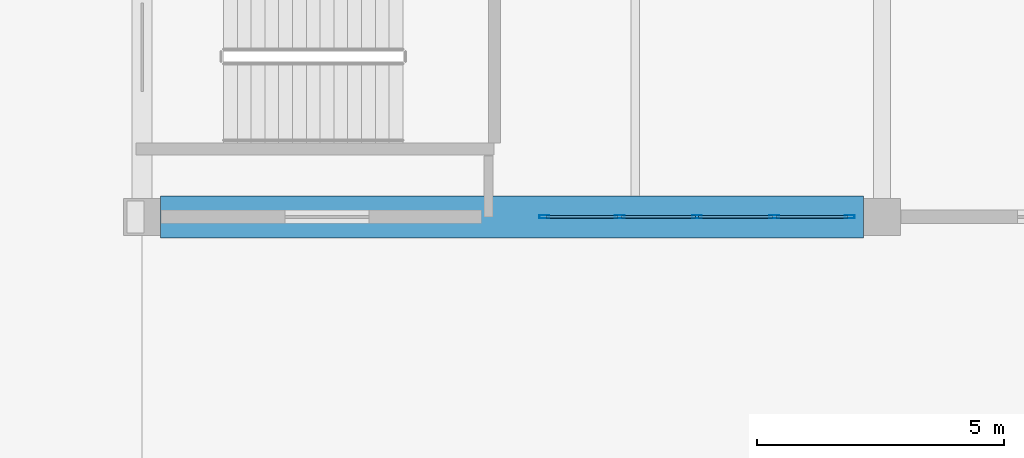
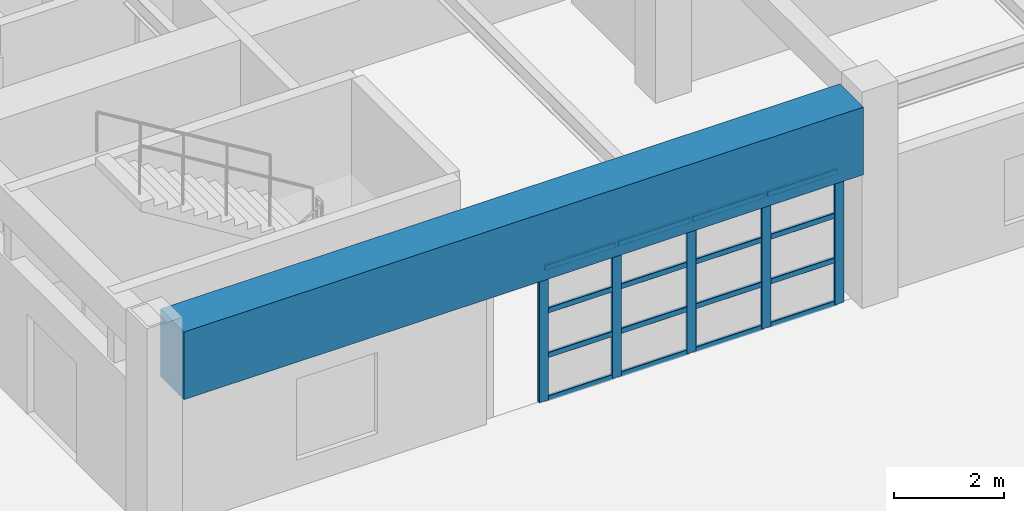
# One storey, part 31 of 122: 21 members, 1 beam, 1 element without a shape of its own.
"""IFC4 building model written with IfcOpenShell, lengths in metres."""

from ifc_helpers import new_model, si_unit, direction, frame, origin, origin_2d, place, context, subcontext, project, spatial, rectangle, hollow_rectangle, extrude, material, material_profile, profile_set, type_object, element, aggregate, save


model = new_model("IFC4")

# Units and contexts
model_context = context("Model", 3, precision=1e-05, world=origin(), true_north=direction((0.0, 1.0)))
body_context = subcontext(model_context, "Body", "Model", "MODEL_VIEW")
ifc_project = project(units=[si_unit("LENGTHUNIT", "METRE"), si_unit("AREAUNIT", "SQUARE_METRE"), si_unit("VOLUMEUNIT", "CUBIC_METRE"), si_unit("PLANEANGLEUNIT", "RADIAN"), si_unit("MASSUNIT", "GRAM", prefix="KILO")], contexts=[model_context])

# Site, building, storey
site_placement = place(None, origin())
site = spatial("IfcSite", under=ifc_project, at=site_placement, CompositionType="ELEMENT")
building_placement = place(site_placement, origin())
building = spatial("IfcBuilding", under=site, at=building_placement, Name="Qasida Concert Hall", CompositionType="ELEMENT")
storey_placement = place(building_placement, origin())
storey = spatial("IfcBuildingStorey", under=building, at=storey_placement, Name="L00", CompositionType="ELEMENT", Elevation=0.0)

# Beam
ifc_material_1 = material(Name="Concrete C50/60", Category="concrete")
ifc_material_profile_1 = material_profile(ifc_material_1, rectangle(XDim=0.85009765625, YDim=1.5, at=origin_2d()), Name="RC 850x1500")
ifc_profile_set_1 = profile_set([ifc_material_profile_1], Name="Concrete C50/60")
beam_type = type_object("IfcBeamType", Name="BM-TG2", PredefinedType="USERDEFINED", material=ifc_profile_set_1)
beam_placement = place(storey_placement, frame((0.375, 75.0, 3.75), z_axis=(1.0, 0.0, 0.0), x_axis=(0.0, 1.0, 0.0)))
element("IfcBeam", 1, at=beam_placement, inside=storey, type_object=beam_type, Name="Transfer girder TG-0688", ObjectType="GIRDER", PredefinedType="USERDEFINED", context=body_context, shape_type="SweptSolid", body=[
    extrude(rectangle(XDim=0.85009765625, YDim=1.5, at=origin_2d()), origin(), (0.0, 0.0, 1.0), 14.25),
])

# Curtain wall, members
ifc_material_2 = material(Name="Architectural bronze-anodized aluminium and low-E glass", Category="aluminium")
curtain_wall_type = type_object("IfcCurtainWallType", Name="CW-08", PredefinedType="NOTDEFINED", material=ifc_material_2)
curtain_wall_placement = place(storey_placement, origin())
curtain_wall = element("IfcCurtainWall", 2, at=curtain_wall_placement, inside=storey, type_object=curtain_wall_type, Name="L00 curtain wall CW-08 0180", PredefinedType="NOTDEFINED")
ifc_material_3 = material(Name="Architectural bronze-anodized aluminium EN AW-6063", Category="aluminium")
ifc_material_profile_2 = material_profile(ifc_material_3, hollow_rectangle(XDim=0.06494140625, YDim=0.199951171875, WallThickness=0.0048828125, InnerFilletRadius=0.0048828125, OuterFilletRadius=0.010009765625, at=origin_2d()), Name="CWM 200x65x5")
ifc_profile_set_2 = profile_set([ifc_material_profile_2], Name="Architectural bronze-anodized aluminium EN AW-6063")
member_type_1 = type_object("IfcMemberType", Name="MB-CWM-2", PredefinedType="MULLION", material=ifc_profile_set_2)
member_1_placement = place(storey_placement, frame((8.152587890625, 75.0, 0.0), z_axis=(0.0, 0.0, 1.0), x_axis=(0.0, 1.0, 0.0)))
member_1 = element("IfcMember", 3, at=member_1_placement, type_object=member_type_1, Name="CW-08 mullion 1", PredefinedType="MULLION", context=body_context, shape_type="SweptSolid", body=[
    extrude(hollow_rectangle(XDim=0.06494140625, YDim=0.199951171875, WallThickness=0.0048828125, InnerFilletRadius=0.0048828125, OuterFilletRadius=0.010009765625, at=origin_2d()), origin(), (0.0, 0.0, 1.0), 2.969970703125),
])
member_2_placement = place(storey_placement, frame((9.68505859375, 75.0, 0.0), z_axis=(0.0, 0.0, 1.0), x_axis=(0.0, 1.0, 0.0)))
member_2 = element("IfcMember", 4, at=member_2_placement, type_object=member_type_1, Name="CW-08 mullion 2", PredefinedType="MULLION", context=body_context, shape_type="SweptSolid", body=[
    extrude(hollow_rectangle(XDim=0.06494140625, YDim=0.199951171875, WallThickness=0.0048828125, InnerFilletRadius=0.0048828125, OuterFilletRadius=0.010009765625, at=origin_2d()), origin(), (0.0, 0.0, 1.0), 2.969970703125),
])
member_3_placement = place(storey_placement, frame((11.25, 75.0, 0.0), z_axis=(0.0, 0.0, 1.0), x_axis=(0.0, 1.0, 0.0)))
member_3 = element("IfcMember", 5, at=member_3_placement, type_object=member_type_1, Name="CW-08 mullion 3", PredefinedType="MULLION", context=body_context, shape_type="SweptSolid", body=[
    extrude(hollow_rectangle(XDim=0.06494140625, YDim=0.199951171875, WallThickness=0.0048828125, InnerFilletRadius=0.0048828125, OuterFilletRadius=0.010009765625, at=origin_2d()), origin(), (0.0, 0.0, 1.0), 2.969970703125),
])
member_4_placement = place(storey_placement, frame((12.81494140625, 75.0, 0.0), z_axis=(0.0, 0.0, 1.0), x_axis=(0.0, 1.0, 0.0)))
member_4 = element("IfcMember", 6, at=member_4_placement, type_object=member_type_1, Name="CW-08 mullion 4", PredefinedType="MULLION", context=body_context, shape_type="SweptSolid", body=[
    extrude(hollow_rectangle(XDim=0.06494140625, YDim=0.199951171875, WallThickness=0.0048828125, InnerFilletRadius=0.0048828125, OuterFilletRadius=0.010009765625, at=origin_2d()), origin(), (0.0, 0.0, 1.0), 2.969970703125),
])
member_5_placement = place(storey_placement, frame((14.347412109375, 75.0, 0.0), z_axis=(0.0, 0.0, 1.0), x_axis=(0.0, 1.0, 0.0)))
member_5 = element("IfcMember", 7, at=member_5_placement, type_object=member_type_1, Name="CW-08 mullion 5", PredefinedType="MULLION", context=body_context, shape_type="SweptSolid", body=[
    extrude(hollow_rectangle(XDim=0.06494140625, YDim=0.199951171875, WallThickness=0.0048828125, InnerFilletRadius=0.0048828125, OuterFilletRadius=0.010009765625, at=origin_2d()), origin(), (0.0, 0.0, 1.0), 2.969970703125),
])
ifc_material_profile_3 = material_profile(ifc_material_3, hollow_rectangle(XDim=0.06005859375, YDim=0.1201171875, WallThickness=0.00390625, InnerFilletRadius=0.00390625, OuterFilletRadius=0.008056640625, at=origin_2d()), Name="CWT 120x60x4")
ifc_profile_set_3 = profile_set([ifc_material_profile_3], Name="Architectural bronze-anodized aluminium EN AW-6063")
member_type_2 = type_object("IfcMemberType", Name="MB-CWT-2", PredefinedType="USERDEFINED", material=ifc_profile_set_3)
member_6_placement = place(storey_placement, frame((8.18505859375, 75.0, 0.030029296875), z_axis=(1.0, 0.0, 0.0), x_axis=(0.0, 1.0, 0.0)))
member_6 = element("IfcMember", 8, at=member_6_placement, type_object=member_type_2, Name="CW-08 transom 1.1", ObjectType="TRANSOM", PredefinedType="USERDEFINED", context=body_context, shape_type="SweptSolid", body=[
    extrude(hollow_rectangle(XDim=0.06005859375, YDim=0.1201171875, WallThickness=0.00390625, InnerFilletRadius=0.00390625, OuterFilletRadius=0.008056640625, at=origin_2d()), origin(), (0.0, 0.0, 1.0), 1.467529296875),
])
member_7_placement = place(storey_placement, frame((8.18505859375, 75.0, 0.989990234375), z_axis=(1.0, 0.0, 0.0), x_axis=(0.0, 1.0, 0.0)))
member_7 = element("IfcMember", 9, at=member_7_placement, type_object=member_type_2, Name="CW-08 transom 1.2", ObjectType="TRANSOM", PredefinedType="USERDEFINED", context=body_context, shape_type="SweptSolid", body=[
    extrude(hollow_rectangle(XDim=0.06005859375, YDim=0.1201171875, WallThickness=0.00390625, InnerFilletRadius=0.00390625, OuterFilletRadius=0.008056640625, at=origin_2d()), origin(), (0.0, 0.0, 1.0), 1.467529296875),
])
member_8_placement = place(storey_placement, frame((8.18505859375, 75.0, 1.97998046875), z_axis=(1.0, 0.0, 0.0), x_axis=(0.0, 1.0, 0.0)))
member_8 = element("IfcMember", 10, at=member_8_placement, type_object=member_type_2, Name="CW-08 transom 1.3", ObjectType="TRANSOM", PredefinedType="USERDEFINED", context=body_context, shape_type="SweptSolid", body=[
    extrude(hollow_rectangle(XDim=0.06005859375, YDim=0.1201171875, WallThickness=0.00390625, InnerFilletRadius=0.00390625, OuterFilletRadius=0.008056640625, at=origin_2d()), origin(), (0.0, 0.0, 1.0), 1.467529296875),
])
member_9_placement = place(storey_placement, frame((8.18505859375, 75.0, 2.93994140625), z_axis=(1.0, 0.0, 0.0), x_axis=(0.0, 1.0, 0.0)))
member_9 = element("IfcMember", 11, at=member_9_placement, type_object=member_type_2, Name="CW-08 transom 1.4", ObjectType="TRANSOM", PredefinedType="USERDEFINED", context=body_context, shape_type="SweptSolid", body=[
    extrude(hollow_rectangle(XDim=0.06005859375, YDim=0.1201171875, WallThickness=0.00390625, InnerFilletRadius=0.00390625, OuterFilletRadius=0.008056640625, at=origin_2d()), origin(), (0.0, 0.0, 1.0), 1.467529296875),
])
member_10_placement = place(storey_placement, frame((9.717529296875, 75.0, 0.030029296875), z_axis=(1.0, 0.0, 0.0), x_axis=(0.0, 1.0, 0.0)))
member_10 = element("IfcMember", 12, at=member_10_placement, type_object=member_type_2, Name="CW-08 transom 2.1", ObjectType="TRANSOM", PredefinedType="USERDEFINED", context=body_context, shape_type="SweptSolid", body=[
    extrude(hollow_rectangle(XDim=0.06005859375, YDim=0.1201171875, WallThickness=0.00390625, InnerFilletRadius=0.00390625, OuterFilletRadius=0.008056640625, at=origin_2d()), origin(), (0.0, 0.0, 1.0), 1.5),
])
member_11_placement = place(storey_placement, frame((9.717529296875, 75.0, 0.989990234375), z_axis=(1.0, 0.0, 0.0), x_axis=(0.0, 1.0, 0.0)))
member_11 = element("IfcMember", 13, at=member_11_placement, type_object=member_type_2, Name="CW-08 transom 2.2", ObjectType="TRANSOM", PredefinedType="USERDEFINED", context=body_context, shape_type="SweptSolid", body=[
    extrude(hollow_rectangle(XDim=0.06005859375, YDim=0.1201171875, WallThickness=0.00390625, InnerFilletRadius=0.00390625, OuterFilletRadius=0.008056640625, at=origin_2d()), origin(), (0.0, 0.0, 1.0), 1.5),
])
member_12_placement = place(storey_placement, frame((9.717529296875, 75.0, 1.97998046875), z_axis=(1.0, 0.0, 0.0), x_axis=(0.0, 1.0, 0.0)))
member_12 = element("IfcMember", 14, at=member_12_placement, type_object=member_type_2, Name="CW-08 transom 2.3", ObjectType="TRANSOM", PredefinedType="USERDEFINED", context=body_context, shape_type="SweptSolid", body=[
    extrude(hollow_rectangle(XDim=0.06005859375, YDim=0.1201171875, WallThickness=0.00390625, InnerFilletRadius=0.00390625, OuterFilletRadius=0.008056640625, at=origin_2d()), origin(), (0.0, 0.0, 1.0), 1.5),
])
member_13_placement = place(storey_placement, frame((9.717529296875, 75.0, 2.93994140625), z_axis=(1.0, 0.0, 0.0), x_axis=(0.0, 1.0, 0.0)))
member_13 = element("IfcMember", 15, at=member_13_placement, type_object=member_type_2, Name="CW-08 transom 2.4", ObjectType="TRANSOM", PredefinedType="USERDEFINED", context=body_context, shape_type="SweptSolid", body=[
    extrude(hollow_rectangle(XDim=0.06005859375, YDim=0.1201171875, WallThickness=0.00390625, InnerFilletRadius=0.00390625, OuterFilletRadius=0.008056640625, at=origin_2d()), origin(), (0.0, 0.0, 1.0), 1.5),
])
member_14_placement = place(storey_placement, frame((11.282470703125, 75.0, 0.030029296875), z_axis=(1.0, 0.0, 0.0), x_axis=(0.0, 1.0, 0.0)))
member_14 = element("IfcMember", 16, at=member_14_placement, type_object=member_type_2, Name="CW-08 transom 3.1", ObjectType="TRANSOM", PredefinedType="USERDEFINED", context=body_context, shape_type="SweptSolid", body=[
    extrude(hollow_rectangle(XDim=0.06005859375, YDim=0.1201171875, WallThickness=0.00390625, InnerFilletRadius=0.00390625, OuterFilletRadius=0.008056640625, at=origin_2d()), origin(), (0.0, 0.0, 1.0), 1.5),
])
member_15_placement = place(storey_placement, frame((11.282470703125, 75.0, 0.989990234375), z_axis=(1.0, 0.0, 0.0), x_axis=(0.0, 1.0, 0.0)))
member_15 = element("IfcMember", 17, at=member_15_placement, type_object=member_type_2, Name="CW-08 transom 3.2", ObjectType="TRANSOM", PredefinedType="USERDEFINED", context=body_context, shape_type="SweptSolid", body=[
    extrude(hollow_rectangle(XDim=0.06005859375, YDim=0.1201171875, WallThickness=0.00390625, InnerFilletRadius=0.00390625, OuterFilletRadius=0.008056640625, at=origin_2d()), origin(), (0.0, 0.0, 1.0), 1.5),
])
member_16_placement = place(storey_placement, frame((11.282470703125, 75.0, 1.97998046875), z_axis=(1.0, 0.0, 0.0), x_axis=(0.0, 1.0, 0.0)))
member_16 = element("IfcMember", 18, at=member_16_placement, type_object=member_type_2, Name="CW-08 transom 3.3", ObjectType="TRANSOM", PredefinedType="USERDEFINED", context=body_context, shape_type="SweptSolid", body=[
    extrude(hollow_rectangle(XDim=0.06005859375, YDim=0.1201171875, WallThickness=0.00390625, InnerFilletRadius=0.00390625, OuterFilletRadius=0.008056640625, at=origin_2d()), origin(), (0.0, 0.0, 1.0), 1.5),
])
member_17_placement = place(storey_placement, frame((11.282470703125, 75.0, 2.93994140625), z_axis=(1.0, 0.0, 0.0), x_axis=(0.0, 1.0, 0.0)))
member_17 = element("IfcMember", 19, at=member_17_placement, type_object=member_type_2, Name="CW-08 transom 3.4", ObjectType="TRANSOM", PredefinedType="USERDEFINED", context=body_context, shape_type="SweptSolid", body=[
    extrude(hollow_rectangle(XDim=0.06005859375, YDim=0.1201171875, WallThickness=0.00390625, InnerFilletRadius=0.00390625, OuterFilletRadius=0.008056640625, at=origin_2d()), origin(), (0.0, 0.0, 1.0), 1.5),
])
member_18_placement = place(storey_placement, frame((12.847412109375, 75.0, 0.030029296875), z_axis=(1.0, 0.0, 0.0), x_axis=(0.0, 1.0, 0.0)))
member_18 = element("IfcMember", 20, at=member_18_placement, type_object=member_type_2, Name="CW-08 transom 4.1", ObjectType="TRANSOM", PredefinedType="USERDEFINED", context=body_context, shape_type="SweptSolid", body=[
    extrude(hollow_rectangle(XDim=0.06005859375, YDim=0.1201171875, WallThickness=0.00390625, InnerFilletRadius=0.00390625, OuterFilletRadius=0.008056640625, at=origin_2d()), origin(), (0.0, 0.0, 1.0), 1.467529296875),
])
member_19_placement = place(storey_placement, frame((12.847412109375, 75.0, 0.989990234375), z_axis=(1.0, 0.0, 0.0), x_axis=(0.0, 1.0, 0.0)))
member_19 = element("IfcMember", 21, at=member_19_placement, type_object=member_type_2, Name="CW-08 transom 4.2", ObjectType="TRANSOM", PredefinedType="USERDEFINED", context=body_context, shape_type="SweptSolid", body=[
    extrude(hollow_rectangle(XDim=0.06005859375, YDim=0.1201171875, WallThickness=0.00390625, InnerFilletRadius=0.00390625, OuterFilletRadius=0.008056640625, at=origin_2d()), origin(), (0.0, 0.0, 1.0), 1.467529296875),
])
member_20_placement = place(storey_placement, frame((12.847412109375, 75.0, 1.97998046875), z_axis=(1.0, 0.0, 0.0), x_axis=(0.0, 1.0, 0.0)))
member_20 = element("IfcMember", 22, at=member_20_placement, type_object=member_type_2, Name="CW-08 transom 4.3", ObjectType="TRANSOM", PredefinedType="USERDEFINED", context=body_context, shape_type="SweptSolid", body=[
    extrude(hollow_rectangle(XDim=0.06005859375, YDim=0.1201171875, WallThickness=0.00390625, InnerFilletRadius=0.00390625, OuterFilletRadius=0.008056640625, at=origin_2d()), origin(), (0.0, 0.0, 1.0), 1.467529296875),
])
member_21_placement = place(storey_placement, frame((12.847412109375, 75.0, 2.93994140625), z_axis=(1.0, 0.0, 0.0), x_axis=(0.0, 1.0, 0.0)))
member_21 = element("IfcMember", 23, at=member_21_placement, type_object=member_type_2, Name="CW-08 transom 4.4", ObjectType="TRANSOM", PredefinedType="USERDEFINED", context=body_context, shape_type="SweptSolid", body=[
    extrude(hollow_rectangle(XDim=0.06005859375, YDim=0.1201171875, WallThickness=0.00390625, InnerFilletRadius=0.00390625, OuterFilletRadius=0.008056640625, at=origin_2d()), origin(), (0.0, 0.0, 1.0), 1.467529296875),
])
aggregate(curtain_wall, [member_1, member_2, member_3, member_4, member_5, member_6, member_7, member_8, member_9, member_10, member_11, member_12, member_13, member_14, member_15, member_16, member_17, member_18, member_19, member_20, member_21])

save(model, "model.ifc")
